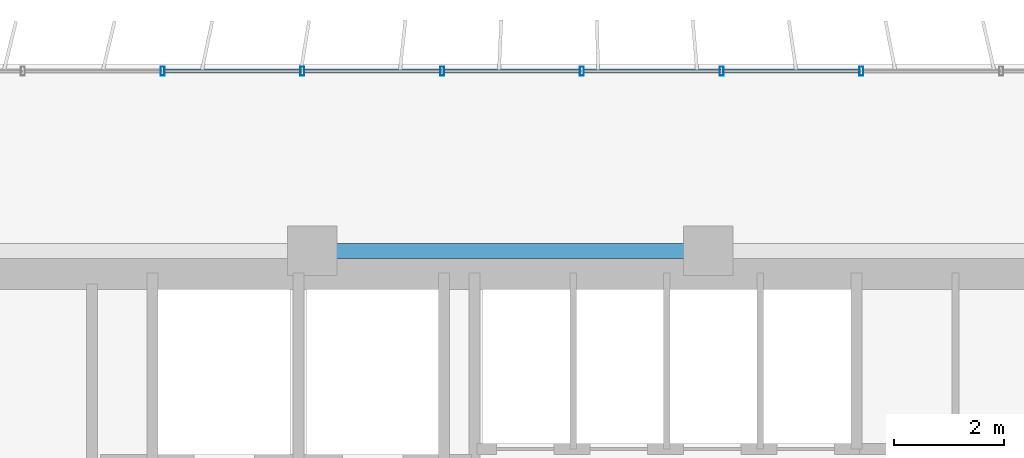
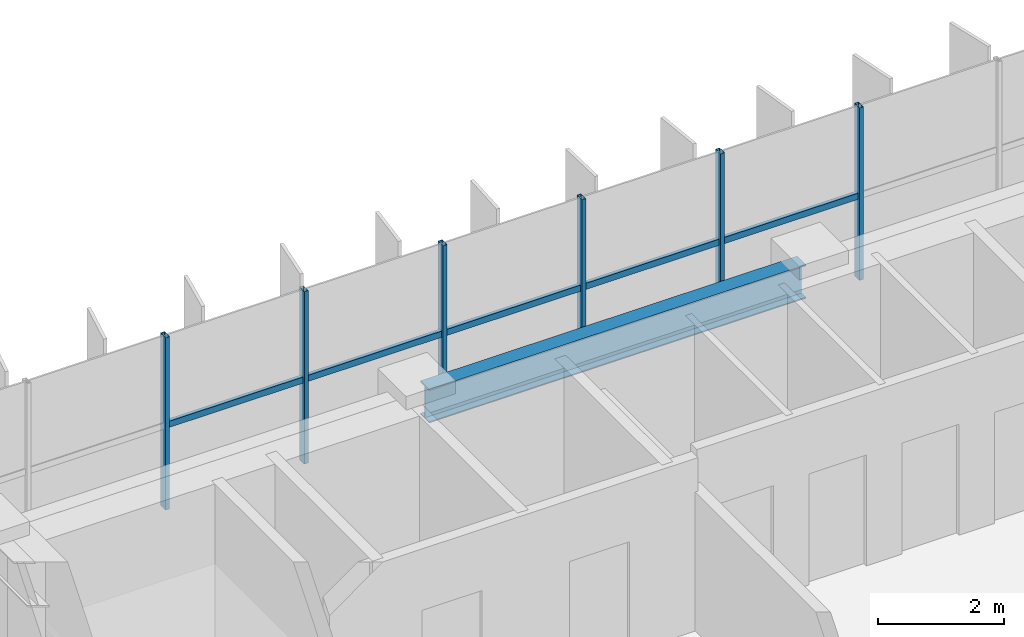
# One storey, part 7 of 22: 11 members, 1 beam, 1 element without a shape of its own.
"""IFC4 building model written with IfcOpenShell, lengths in metres."""

from ifc_helpers import new_model, si_unit, direction, frame, origin, origin_2d, place, context, subcontext, project, spatial, hollow_rectangle, i_section, extrude, source, transform, mapped, material, material_profile, profile_set, type_object, element, aggregate, save


model = new_model("IFC4")

# Units and contexts
model_context = context("Model", 3, precision=1e-05, world=origin(), true_north=direction((0.0, 1.0)))
body_context = subcontext(model_context, "Body", "Model", "MODEL_VIEW")
ifc_project = project(units=[si_unit("LENGTHUNIT", "METRE"), si_unit("AREAUNIT", "SQUARE_METRE"), si_unit("VOLUMEUNIT", "CUBIC_METRE"), si_unit("PLANEANGLEUNIT", "RADIAN"), si_unit("MASSUNIT", "GRAM", prefix="KILO")], contexts=[model_context])

# Site, building, storey
site_placement = place(None, origin())
site = spatial("IfcSite", under=ifc_project, at=site_placement, CompositionType="ELEMENT")
building_placement = place(site_placement, origin())
building = spatial("IfcBuilding", under=site, at=building_placement, Name="Trelvane Seafront Commons", CompositionType="ELEMENT")
storey_placement = place(building_placement, frame((0.0, 0.0, 45.10009765625)))
storey = spatial("IfcBuildingStorey", under=building, at=storey_placement, Name="L11", CompositionType="ELEMENT", Elevation=45.10009765625)

# Beam
ifc_material_1 = material(Name="Steel SM355 (S355)", Category="steel")
ifc_material_profile_1 = material_profile(ifc_material_1, i_section(OverallWidth=0.280029296875, OverallDepth=0.64990234375, WebThickness=0.012939453125, FlangeThickness=0.02197265625, at=origin_2d()), Name="H-650x280x13x22")
ifc_profile_set_1 = profile_set([ifc_material_profile_1], Name="Steel SM355 (S355)")
beam_type = type_object("IfcBeamType", Name="STR-BM-H650", PredefinedType="BEAM", material=ifc_profile_set_1)
shared_shape_1 = source(origin(), body_context, "Body", "SweptSolid", [
    extrude(i_section(OverallWidth=0.280029296875, OverallDepth=0.64990234375, WebThickness=0.012939453125, FlangeThickness=0.02197265625, at=origin_2d()), origin(), (0.0, 0.0, 1.0), 6.89990234375),
])
beam_placement = place(storey_placement, frame((23.550048828125, 45.10009765625, 3.014892578125), z_axis=(1.0, 0.0, 0.0), x_axis=(0.0, 1.0, 0.0)))
element("IfcBeam", 1, at=beam_placement, inside=storey, type_object=beam_type, Name="L11 Primary Girder G-31", PredefinedType="BEAM", context=body_context, shape_type="MappedRepresentation", body=[
    mapped(shared_shape_1, transform((0.0, 0.0, 0.0), x_axis=(1.0, 0.0, 0.0), y_axis=(0.0, 1.0, 0.0), z_axis=(0.0, 0.0, 1.0), scale=1.0)),
])

# Curtain wall, members
ifc_material_2 = material(Name="Anodised pale-silver aluminium", Category="aluminium")
curtain_wall_type = type_object("IfcCurtainWallType", Name="ARCH-CW2-LOWTOWER", PredefinedType="NOTDEFINED", material=ifc_material_2)
curtain_wall_placement = place(storey_placement, origin())
curtain_wall = element("IfcCurtainWall", 2, at=curtain_wall_placement, inside=storey, type_object=curtain_wall_type, Name="CW-L11-0035", PredefinedType="NOTDEFINED")
ifc_material_profile_2 = material_profile(ifc_material_2, hollow_rectangle(XDim=0.070068359375, YDim=0.1201171875, WallThickness=0.00390625, at=origin_2d()), Name="TRAN-70x120x4")
ifc_profile_set_2 = profile_set([ifc_material_profile_2], Name="Anodised pale-silver aluminium")
member_type_1 = type_object("IfcMemberType", Name="ARCH-CW-TRAN-120", PredefinedType="USERDEFINED", material=ifc_profile_set_2)
shared_shape_2 = source(origin(), body_context, "Body", "SweptSolid", [
    extrude(hollow_rectangle(XDim=0.070068359375, YDim=0.1201171875, WallThickness=0.00390625, at=origin_2d()), origin(), (0.0, 0.0, 1.0), 2.51708984375),
])
member_1_placement = place(storey_placement, frame((20.6943359375, 48.3701171875, 1.602783203125), z_axis=(1.0, 0.0, 0.0), x_axis=(0.0, 1.0, 0.0)))
member_1 = element("IfcMember", 3, at=member_1_placement, type_object=member_type_1, Name="CW-L11-0035-T02", ObjectType="TRANSOM", PredefinedType="USERDEFINED", context=body_context, shape_type="MappedRepresentation", body=[
    mapped(shared_shape_2, transform((0.0, 0.0, 0.0), x_axis=(1.0, 0.0, 0.0), y_axis=(0.0, 1.0, 0.0), z_axis=(0.0, 0.0, 1.0), scale=1.0)),
])
member_2_placement = place(storey_placement, frame((23.235595703125, 48.3701171875, 1.602783203125), z_axis=(1.0, 0.0, 0.0), x_axis=(0.0, 1.0, 0.0)))
member_2 = element("IfcMember", 4, at=member_2_placement, type_object=member_type_1, Name="CW-L11-0035-T03", ObjectType="TRANSOM", PredefinedType="USERDEFINED", context=body_context, shape_type="MappedRepresentation", body=[
    mapped(shared_shape_2, transform((0.0, 0.0, 0.0), x_axis=(1.0, 0.0, 0.0), y_axis=(0.0, 1.0, 0.0), z_axis=(0.0, 0.0, 1.0), scale=1.0)),
])
member_3_placement = place(storey_placement, frame((30.859130859375, 48.3701171875, 1.602783203125), z_axis=(1.0, 0.0, 0.0), x_axis=(0.0, 1.0, 0.0)))
member_3 = element("IfcMember", 5, at=member_3_placement, type_object=member_type_1, Name="CW-L11-0035-T06", ObjectType="TRANSOM", PredefinedType="USERDEFINED", context=body_context, shape_type="MappedRepresentation", body=[
    mapped(shared_shape_2, transform((0.0, 0.0, 0.0), x_axis=(1.0, 0.0, 0.0), y_axis=(0.0, 1.0, 0.0), z_axis=(0.0, 0.0, 1.0), scale=1.0)),
])
shared_shape_3 = source(origin(), body_context, "Body", "SweptSolid", [
    extrude(hollow_rectangle(XDim=0.070068359375, YDim=0.1201171875, WallThickness=0.00390625, at=origin_2d()), origin(), (0.0, 0.0, 1.0), 2.517333984375),
])
member_4_placement = place(storey_placement, frame((25.776611328125, 48.3701171875, 1.602783203125), z_axis=(1.0, 0.0, 0.0), x_axis=(0.0, 1.0, 0.0)))
member_4 = element("IfcMember", 6, at=member_4_placement, type_object=member_type_1, Name="CW-L11-0035-T04", ObjectType="TRANSOM", PredefinedType="USERDEFINED", context=body_context, shape_type="MappedRepresentation", body=[
    mapped(shared_shape_3, transform((0.0, 0.0, 0.0), x_axis=(1.0, 0.0, 0.0), y_axis=(0.0, 1.0, 0.0), z_axis=(0.0, 0.0, 1.0), scale=1.0)),
])
member_5_placement = place(storey_placement, frame((28.31787109375, 48.3701171875, 1.602783203125), z_axis=(1.0, 0.0, 0.0), x_axis=(0.0, 1.0, 0.0)))
member_5 = element("IfcMember", 7, at=member_5_placement, type_object=member_type_1, Name="CW-L11-0035-T05", ObjectType="TRANSOM", PredefinedType="USERDEFINED", context=body_context, shape_type="MappedRepresentation", body=[
    mapped(shared_shape_3, transform((0.0, 0.0, 0.0), x_axis=(1.0, 0.0, 0.0), y_axis=(0.0, 1.0, 0.0), z_axis=(0.0, 0.0, 1.0), scale=1.0)),
])
ifc_material_profile_3 = material_profile(ifc_material_2, hollow_rectangle(XDim=0.074951171875, YDim=0.159912109375, WallThickness=0.00390625, at=origin_2d()), Name="MULL-75x160x4")
ifc_profile_set_3 = profile_set([ifc_material_profile_3], Name="Anodised pale-silver aluminium")
member_type_2 = type_object("IfcMemberType", Name="ARCH-CW-MULL-160", PredefinedType="MULLION", material=ifc_profile_set_3)
shared_shape_4 = source(origin(), body_context, "Body", "SweptSolid", [
    extrude(hollow_rectangle(XDim=0.074951171875, YDim=0.159912109375, WallThickness=0.00390625, at=origin_2d()), origin(), (0.0, 0.0, 1.0), 3.33984375),
])
member_6_placement = place(storey_placement, frame((20.682373046875, 48.3701171875, 0.0), z_axis=(0.0, 0.0, 1.0), x_axis=(1.0, 0.0, 0.0)))
member_6 = element("IfcMember", 8, at=member_6_placement, type_object=member_type_2, Name="CW-L11-0035-M02", PredefinedType="MULLION", context=body_context, shape_type="MappedRepresentation", body=[
    mapped(shared_shape_4, transform((0.0, 0.0, 0.0), x_axis=(1.0, 0.0, 0.0), y_axis=(0.0, 1.0, 0.0), z_axis=(0.0, 0.0, 1.0), scale=1.0)),
])
member_7_placement = place(storey_placement, frame((23.223388671875, 48.3701171875, 0.0), z_axis=(0.0, 0.0, 1.0), x_axis=(1.0, 0.0, 0.0)))
member_7 = element("IfcMember", 9, at=member_7_placement, type_object=member_type_2, Name="CW-L11-0035-M03", PredefinedType="MULLION", context=body_context, shape_type="MappedRepresentation", body=[
    mapped(shared_shape_4, transform((0.0, 0.0, 0.0), x_axis=(1.0, 0.0, 0.0), y_axis=(0.0, 1.0, 0.0), z_axis=(0.0, 0.0, 1.0), scale=1.0)),
])
member_8_placement = place(storey_placement, frame((25.7646484375, 48.3701171875, 0.0), z_axis=(0.0, 0.0, 1.0), x_axis=(1.0, 0.0, 0.0)))
member_8 = element("IfcMember", 10, at=member_8_placement, type_object=member_type_2, Name="CW-L11-0035-M04", PredefinedType="MULLION", context=body_context, shape_type="MappedRepresentation", body=[
    mapped(shared_shape_4, transform((0.0, 0.0, 0.0), x_axis=(1.0, 0.0, 0.0), y_axis=(0.0, 1.0, 0.0), z_axis=(0.0, 0.0, 1.0), scale=1.0)),
])
member_9_placement = place(storey_placement, frame((28.305908203125, 48.3701171875, 0.0), z_axis=(0.0, 0.0, 1.0), x_axis=(1.0, 0.0, 0.0)))
member_9 = element("IfcMember", 11, at=member_9_placement, type_object=member_type_2, Name="CW-L11-0035-M05", PredefinedType="MULLION", context=body_context, shape_type="MappedRepresentation", body=[
    mapped(shared_shape_4, transform((0.0, 0.0, 0.0), x_axis=(1.0, 0.0, 0.0), y_axis=(0.0, 1.0, 0.0), z_axis=(0.0, 0.0, 1.0), scale=1.0)),
])
member_10_placement = place(storey_placement, frame((30.84716796875, 48.3701171875, 0.0), z_axis=(0.0, 0.0, 1.0), x_axis=(1.0, 0.0, 0.0)))
member_10 = element("IfcMember", 12, at=member_10_placement, type_object=member_type_2, Name="CW-L11-0035-M06", PredefinedType="MULLION", context=body_context, shape_type="MappedRepresentation", body=[
    mapped(shared_shape_4, transform((0.0, 0.0, 0.0), x_axis=(1.0, 0.0, 0.0), y_axis=(0.0, 1.0, 0.0), z_axis=(0.0, 0.0, 1.0), scale=1.0)),
])
member_11_placement = place(storey_placement, frame((33.38818359375, 48.3701171875, 0.0), z_axis=(0.0, 0.0, 1.0), x_axis=(1.0, 0.0, 0.0)))
member_11 = element("IfcMember", 13, at=member_11_placement, type_object=member_type_2, Name="CW-L11-0035-M07", PredefinedType="MULLION", context=body_context, shape_type="MappedRepresentation", body=[
    mapped(shared_shape_4, transform((0.0, 0.0, 0.0), x_axis=(1.0, 0.0, 0.0), y_axis=(0.0, 1.0, 0.0), z_axis=(0.0, 0.0, 1.0), scale=1.0)),
])
aggregate(curtain_wall, [member_6, member_7, member_8, member_9, member_10, member_11, member_1, member_2, member_4, member_5, member_3])

save(model, "model.ifc")
